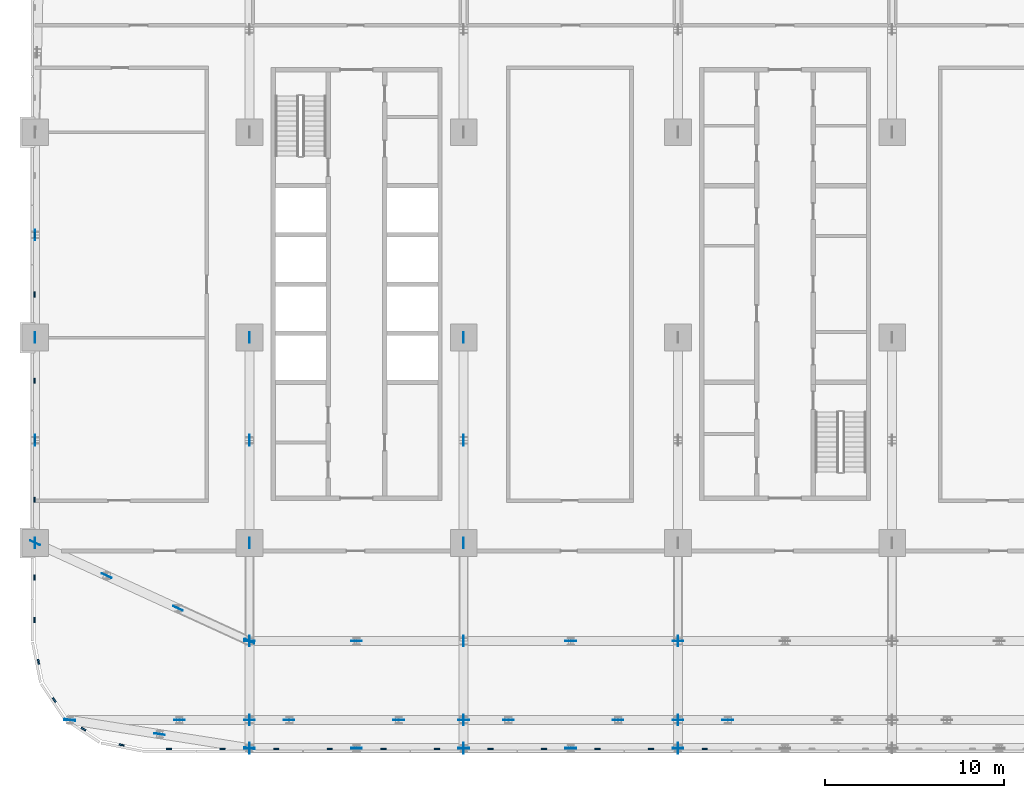
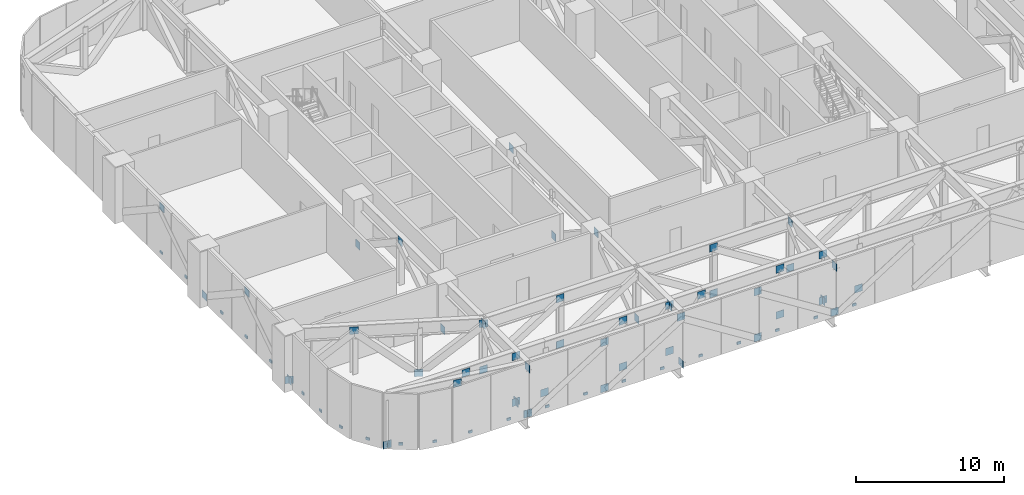
# One storey, part 15 of 26: 76 discrete accessories.
"""IFC4 building model written with IfcOpenShell, lengths in metres."""

from ifc_helpers import new_model, si_unit, direction, frame, origin, origin_2d, place, context, subcontext, project, spatial, rectangle, extrude, material, layer, layer_set, type_object, element, save


model = new_model("IFC4")

# Units and contexts
model_context = context("Model", 3, precision=1e-05, world=origin(), true_north=direction((0.0, 1.0)))
body_context = subcontext(model_context, "Body", "Model", "MODEL_VIEW")
ifc_project = project(units=[si_unit("LENGTHUNIT", "METRE"), si_unit("AREAUNIT", "SQUARE_METRE"), si_unit("VOLUMEUNIT", "CUBIC_METRE"), si_unit("PLANEANGLEUNIT", "RADIAN"), si_unit("MASSUNIT", "GRAM", prefix="KILO")], contexts=[model_context])

# Site, building, storey
site_placement = place(None, origin())
site = spatial("IfcSite", under=ifc_project, at=site_placement, CompositionType="ELEMENT")
building_placement = place(site_placement, origin())
building = spatial("IfcBuilding", under=site, at=building_placement, Name="Mahtab Terrace Research Tower", CompositionType="ELEMENT")
storey_placement = place(building_placement, frame((0.0, 0.0, 80.39990234375)))
storey = spatial("IfcBuildingStorey", under=building, at=storey_placement, Name="L18", CompositionType="ELEMENT", Elevation=80.39990234375)

# Discrete accessories
ifc_material_1 = material(Name="Black anodised aluminium", Category="aluminium")
discrete_accessory_type_1 = type_object("IfcDiscreteAccessoryType", Name="Facade bracket", PredefinedType="BRACKET", material=ifc_material_1)
for number, where, z_axis, x_axis, name in (
    (1, (-42.044921875, 5.75, -0.2998046875), (0.0, 0.0, 1.0), (0.0, -1.0, 0.0), "Louvre bracket L18 44"),
    (2, (-42.044921875, 2.416748046875, -0.2998046875), (0.0, 0.0, 1.0), (0.0, -1.0, 0.0), "Louvre bracket L18 45"),
    (3, (-42.044921875, -2.416748046875, -0.2998046875), (0.0, 0.0, 1.0), (0.0, -1.0, 0.0), "Louvre bracket L18 46"),
    (4, (-42.044921875, -5.75, -0.2998046875), (0.0, 0.0, 1.0), (0.0, -1.0, 0.0), "Louvre bracket L18 47"),
    (5, (-42.044921875, -9.083251953125, -0.2998046875), (0.0, 0.0, 1.0), (0.0, -1.0, 0.0), "Louvre bracket L18 48"),
    (6, (-42.044921875, -13.4375, -0.2998046875), (0.0, 0.0, 1.0), (0.0, -1.0, 0.0), "Louvre bracket L18 49"),
    (7, (-42.044921875, -15.8125, -0.2998046875), (0.0, 0.0, 1.0), (0.0, -1.0, 0.0), "Louvre bracket L18 50"),
    (8, (-41.815673828125, -18.15673828125, -0.2998046875), (0.0, 0.0, 1.0), (0.195212442692, -0.980760981187, 0.0), "Louvre bracket L18 51"),
    (9, (-40.930419921875, -20.29443359375, -0.2998046875), (0.0, 0.0, 1.0), (0.555291490808, -0.831655794326, 0.0), "Louvre bracket L18 52"),
    (10, (-39.29443359375, -21.930419921875, -0.2998046875), (0.0, 0.0, 1.0), (0.831655794326, -0.555291490808, 0.0), "Louvre bracket L18 53"),
    (11, (-37.15673828125, -22.815673828125, -0.2998046875), (0.0, 0.0, 1.0), (0.980760981187, -0.195212442692, 0.0), "Louvre bracket L18 54"),
    (12, (-34.5, -23.044921875, -0.2998046875), (0.0, 0.0, 1.0), (1.0, 0.0, 0.0), "Louvre bracket L18 55"),
    (13, (-31.5, -23.044921875, -0.2998046875), (0.0, 0.0, 1.0), (1.0, 0.0, 0.0), "Louvre bracket L18 56"),
    (14, (-28.5, -23.044921875, -0.2998046875), (0.0, 0.0, 1.0), (1.0, 0.0, 0.0), "Louvre bracket L18 57"),
    (15, (-25.5, -23.044921875, -0.2998046875), (0.0, 0.0, 1.0), (1.0, 0.0, 0.0), "Louvre bracket L18 58"),
    (16, (-22.5, -23.044921875, -0.2998046875), (0.0, 0.0, 1.0), (1.0, 0.0, 0.0), "Louvre bracket L18 59"),
    (17, (-19.5, -23.044921875, -0.2998046875), (0.0, 0.0, 1.0), (1.0, 0.0, 0.0), "Louvre bracket L18 60"),
    (18, (-16.5, -23.044921875, -0.2998046875), (0.0, 0.0, 1.0), (1.0, 0.0, 0.0), "Louvre bracket L18 61"),
    (19, (-13.5, -23.044921875, -0.2998046875), (0.0, 0.0, 1.0), (1.0, 0.0, 0.0), "Louvre bracket L18 62"),
    (20, (-10.5, -23.044921875, -0.2998046875), (0.0, 0.0, 1.0), (1.0, 0.0, 0.0), "Louvre bracket L18 63"),
    (21, (-7.5, -23.044921875, -0.2998046875), (0.0, 0.0, 1.0), (1.0, 0.0, 0.0), "Louvre bracket L18 64"),
    (22, (-4.5, -23.044921875, -0.2998046875), (0.0, 0.0, 1.0), (1.0, 0.0, 0.0), "Louvre bracket L18 65"),
):
    element("IfcDiscreteAccessory", number, at=place(storey_placement, frame(where, z_axis=z_axis, x_axis=x_axis)), inside=storey, type_object=discrete_accessory_type_1, Name=name, PredefinedType="BRACKET", context=body_context, shape_type="SweptSolid", body=[
        extrude(rectangle(XDim=0.300048828125, YDim=0.090087890625, at=origin_2d()), origin(), (0.0, 0.0, 1.0), 0.199951171875),
    ])
ifc_material_2 = material(Name="Steel ASTM A992 Gr 50", Category="steel")
ifc_layer = layer(ifc_material_2, 0.030029296875)
ifc_layer_set = layer_set([ifc_layer], Name="Gusset plate 600x600x30")
discrete_accessory_type_2 = type_object("IfcDiscreteAccessoryType", Name="Gusset plate 600x600x30", PredefinedType="USERDEFINED", material=ifc_layer_set)
for number, where, z_axis, x_axis, name in (
    (23, (-40.06201171875, -21.416015625, -0.593505859375), (0.0, 0.0, 1.0), (1.0, 0.0, 0.0), "Gusset plate"),
    (24, (-33.919921875, -21.416015625, 3.201171875), (0.0, 0.0, 1.0), (1.0, 0.0, 0.0), "Gusset plate"),
    (25, (-30.0, -23.0, -0.593505859375), (0.0, 0.0, 1.0), (1.0, 0.0, 0.0), "Gusset plate"),
    (26, (-30.0, -21.416015625, -0.593505859375), (0.0, 0.0, 1.0), (1.0, 0.0, 0.0), "Gusset plate"),
    (27, (-30.0, -21.416015625, 3.201171875), (0.0, 0.0, 1.0), (1.0, 0.0, 0.0), "Gusset plate"),
    (28, (-30.0, -17.0, -0.593505859375), (0.0, 0.0, 1.0), (1.0, 0.0, 0.0), "Gusset plate"),
    (29, (-27.779052734375, -21.416015625, -0.593505859375), (0.0, 0.0, 1.0), (1.0, 0.0, 0.0), "Gusset plate"),
    (30, (-24.0, -23.0, -0.593505859375), (0.0, 0.0, 1.0), (1.0, 0.0, 0.0), "Gusset plate"),
    (31, (-24.0, -23.0, 3.201171875), (0.0, 0.0, 1.0), (1.0, 0.0, 0.0), "Gusset plate"),
    (32, (-24.0, -17.0, -0.593505859375), (0.0, 0.0, 1.0), (1.0, 0.0, 0.0), "Gusset plate"),
    (33, (-24.0, -17.0, 3.201171875), (0.0, 0.0, 1.0), (1.0, 0.0, 0.0), "Gusset plate"),
    (34, (-21.636962890625, -21.416015625, -0.593505859375), (0.0, 0.0, 1.0), (1.0, 0.0, 0.0), "Gusset plate"),
    (35, (-21.636962890625, -21.416015625, 3.201171875), (0.0, 0.0, 1.0), (1.0, 0.0, 0.0), "Gusset plate"),
    (36, (-18.0, -23.0, 3.201171875), (0.0, 0.0, 1.0), (1.0, 0.0, 0.0), "Gusset plate"),
    (37, (-18.0, -21.416015625, -0.593505859375), (0.0, 0.0, 1.0), (1.0, 0.0, 0.0), "Gusset plate"),
    (38, (-18.0, -21.416015625, 3.201171875), (0.0, 0.0, 1.0), (1.0, 0.0, 0.0), "Gusset plate"),
    (39, (-15.49609375, -21.416015625, 3.201171875), (0.0, 0.0, 1.0), (1.0, 0.0, 0.0), "Gusset plate"),
    (40, (-12.0, -23.0, -0.593505859375), (0.0, 0.0, 1.0), (1.0, 0.0, 0.0), "Gusset plate"),
    (41, (-12.0, -23.0, 3.201171875), (0.0, 0.0, 1.0), (1.0, 0.0, 0.0), "Gusset plate"),
    (42, (-12.0, -17.0, -0.593505859375), (0.0, 0.0, 1.0), (1.0, 0.0, 0.0), "Gusset plate"),
    (43, (-12.0, -17.0, 3.201171875), (0.0, 0.0, 1.0), (1.0, 0.0, 0.0), "Gusset plate"),
    (44, (-9.35400390625, -21.416015625, -0.593505859375), (0.0, 0.0, 1.0), (1.0, 0.0, 0.0), "Gusset plate"),
    (45, (-9.35400390625, -21.416015625, 3.201171875), (0.0, 0.0, 1.0), (1.0, 0.0, 0.0), "Gusset plate"),
    (46, (-6.0, -23.0, -0.593505859375), (0.0, 0.0, 1.0), (1.0, 0.0, 0.0), "Gusset plate"),
    (47, (-6.0, -21.416015625, -0.593505859375), (0.0, 0.0, 1.0), (1.0, 0.0, 0.0), "Gusset plate"),
    (48, (-6.0, -21.416015625, 3.201171875), (0.0, 0.0, 1.0), (1.0, 0.0, 0.0), "Gusset plate"),
    (49, (-6.0, -17.0, -0.593505859375), (0.0, 0.0, 1.0), (1.0, 0.0, 0.0), "Gusset plate"),
    (50, (-3.2119140625, -21.416015625, -0.593505859375), (0.0, 0.0, 1.0), (1.0, 0.0, 0.0), "Gusset plate"),
    (51, (-42.0, -11.5, -0.593505859375), (0.0, 0.0, 1.0), (0.0, 1.0, 0.0), "Gusset plate"),
    (52, (-42.0, -5.75, 3.201171875), (0.0, 0.0, 1.0), (0.0, 1.0, 0.0), "Gusset plate"),
    (53, (-42.0, 0.0, -0.593505859375), (0.0, 0.0, 1.0), (0.0, 1.0, 0.0), "Gusset plate"),
    (54, (-42.0, 5.75, 3.201171875), (0.0, 0.0, 1.0), (0.0, 1.0, 0.0), "Gusset plate"),
    (55, (-30.0, -23.0, 3.201171875), (0.0, 0.0, 1.0), (0.0, 1.0, 0.0), "Gusset plate"),
    (56, (-30.0, -21.416015625, -0.593505859375), (0.0, 0.0, 1.0), (0.0, 1.0, 0.0), "Gusset plate"),
    (57, (-30.0, -17.0, 3.201171875), (0.0, 0.0, 1.0), (0.0, 1.0, 0.0), "Gusset plate"),
    (58, (-30.0, -11.5, -0.593505859375), (0.0, 0.0, 1.0), (0.0, 1.0, 0.0), "Gusset plate"),
    (59, (-30.0, -5.75, 3.201171875), (0.0, 0.0, 1.0), (0.0, 1.0, 0.0), "Gusset plate"),
    (60, (-30.0, 0.0, -0.593505859375), (0.0, 0.0, 1.0), (0.0, 1.0, 0.0), "Gusset plate"),
    (61, (-18.0, -23.0, -0.593505859375), (0.0, 0.0, 1.0), (0.0, 1.0, 0.0), "Gusset plate"),
    (62, (-18.0, -21.416015625, 3.201171875), (0.0, 0.0, 1.0), (0.0, 1.0, 0.0), "Gusset plate"),
    (63, (-18.0, -17.0, -0.593505859375), (0.0, 0.0, 1.0), (0.0, 1.0, 0.0), "Gusset plate"),
    (64, (-18.0, -11.5, 3.201171875), (0.0, 0.0, 1.0), (0.0, 1.0, 0.0), "Gusset plate"),
    (65, (-18.0, -5.75, -0.593505859375), (0.0, 0.0, 1.0), (0.0, 1.0, 0.0), "Gusset plate"),
    (66, (-18.0, 0.0, 3.201171875), (0.0, 0.0, 1.0), (0.0, 1.0, 0.0), "Gusset plate"),
    (67, (-6.0, -23.0, 3.201171875), (0.0, 0.0, 1.0), (0.0, 1.0, 0.0), "Gusset plate"),
    (68, (-6.0, -21.416015625, -0.593505859375), (0.0, 0.0, 1.0), (0.0, 1.0, 0.0), "Gusset plate"),
    (69, (-6.0, -17.0, 3.201171875), (0.0, 0.0, 1.0), (0.0, 1.0, 0.0), "Gusset plate"),
    (70, (-42.0, -11.5, -0.593505859375), (0.0, 0.0, 1.0), (-0.909090744247, 0.416598150168, 0.0), "Gusset plate"),
    (71, (-38.0, -13.3330078125, 3.201171875), (0.0, 0.0, 1.0), (-0.909090744247, 0.416598150168, 0.0), "Gusset plate"),
    (72, (-34.0, -15.1669921875, -0.593505859375), (0.0, 0.0, 1.0), (-0.909010746391, 0.416772675383, 0.0), "Gusset plate"),
    (73, (-30.0, -17.0, 3.201171875), (0.0, 0.0, 1.0), (-0.909090744247, 0.416598150168, 0.0), "Gusset plate"),
    (74, (-40.06201171875, -21.416015625, -0.593505859375), (0.0, 0.0, 1.0), (-0.987835337919, 0.15550352137, 0.0), "Gusset plate"),
    (75, (-35.031005859375, -22.2080078125, 3.201171875), (0.0, 0.0, 1.0), (-0.987835337919, 0.15550352137, 0.0), "Gusset plate"),
    (76, (-30.0, -23.0, -0.593505859375), (0.0, 0.0, 1.0), (-0.987835337919, 0.15550352137, 0.0), "Gusset plate"),
):
    element("IfcDiscreteAccessory", number, at=place(storey_placement, frame(where, z_axis=z_axis, x_axis=x_axis)), inside=storey, type_object=discrete_accessory_type_2, Name=name, ObjectType="GUSSET PLATE", PredefinedType="USERDEFINED", context=body_context, shape_type="SweptSolid", body=[
        extrude(rectangle(XDim=0.60009765625, YDim=0.030029296875, at=origin_2d()), origin(), (0.0, 0.0, 1.0), 0.60009765625),
    ])

save(model, "model.ifc")
